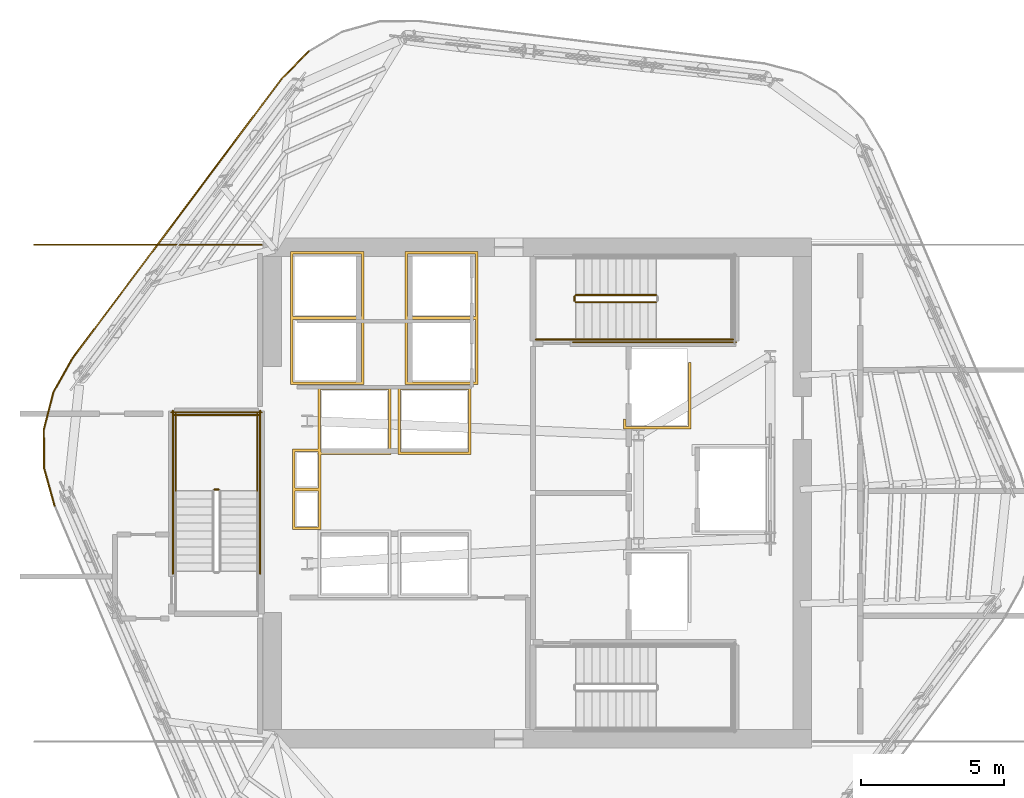
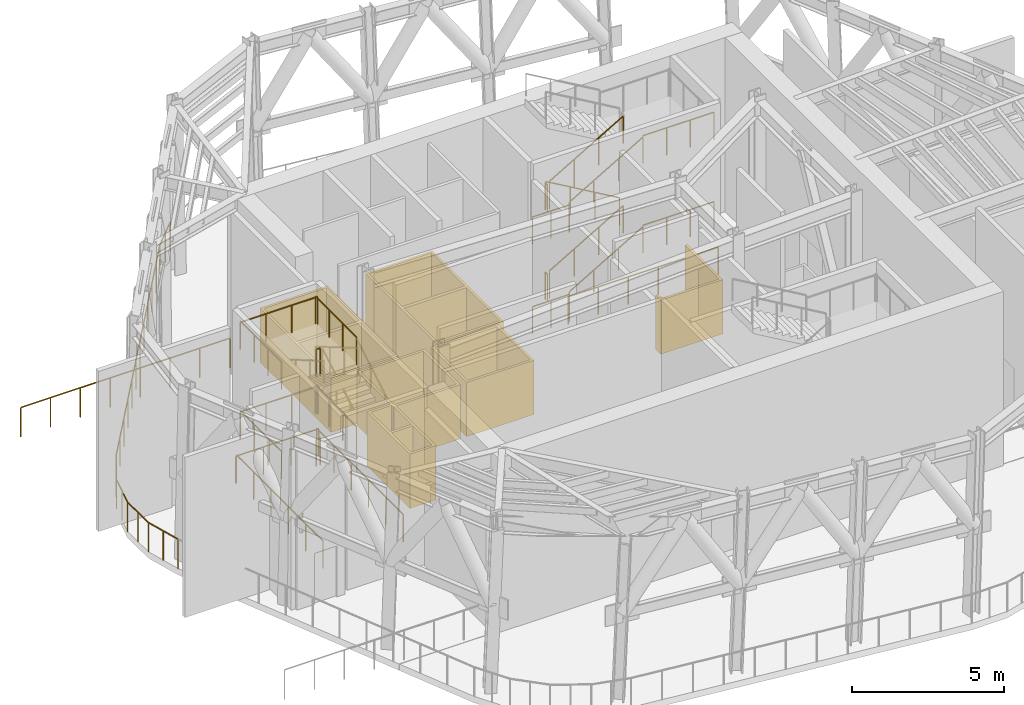
# One storey, part 9 of 10: 30 railings, 5 coverings.
"""IFC4 building model written with IfcOpenShell, lengths in metres."""

from ifc_helpers import new_model, si_unit, direction, frame, origin, origin_2d, place, context, subcontext, project, spatial, polyline, circle, outline, extrude, material, layer, layer_set, type_object, element, save


model = new_model("IFC4")

# Units and contexts
model_context = context("Model", 3, precision=1e-05, world=origin(), true_north=direction((0.0, 1.0)))
body_context = subcontext(model_context, "Body", "Model", "MODEL_VIEW")
ifc_project = project(units=[si_unit("LENGTHUNIT", "METRE"), si_unit("AREAUNIT", "SQUARE_METRE"), si_unit("VOLUMEUNIT", "CUBIC_METRE"), si_unit("PLANEANGLEUNIT", "RADIAN"), si_unit("MASSUNIT", "GRAM", prefix="KILO")], contexts=[model_context])

# Site, building, storey
site_placement = place(None, origin())
site = spatial("IfcSite", under=ifc_project, at=site_placement, CompositionType="ELEMENT")
building_placement = place(site_placement, origin())
building = spatial("IfcBuilding", under=site, at=building_placement, Name="Valkerne Bourse Tower", CompositionType="ELEMENT")
storey_placement = place(building_placement, frame((0.0, 0.0, 251.199951171875)))
storey = spatial("IfcBuildingStorey", under=building, at=storey_placement, Name="L64", CompositionType="ELEMENT", Elevation=251.199951171875)

# Coverings
ifc_material_1 = material(Name="Gypsum Shaftwall Liner Board", Category="gypsum")
ifc_layer = layer(ifc_material_1, 0.080078125)
ifc_layer_set = layer_set([ifc_layer], Name="Gypsum Shaftwall Liner Board")
covering_type = type_object("IfcCoveringType", Name="COV-SHF-CLAD", PredefinedType="CLADDING", material=ifc_layer_set)
covering_1_placement = place(storey_placement, origin())
element("IfcCovering", 1, at=covering_1_placement, inside=storey, type_object=covering_type, Name="L64 Hoistway & Riser Shaftwall Liner 03", PredefinedType="CLADDING", context=body_context, shape_type="SweptSolid", body=[
    extrude(outline(polyline([(38.239990234375, 28.409912109375), (39.1201171875, 28.409912109375), (39.1201171875, 30.580078125), (41.679931640625, 30.580078125), (41.679931640625, 28.219970703125), (39.239990234375, 28.219970703125), (39.239990234375, 27.0400390625), (39.239990234375, 26.9599609375), (39.239990234375, 25.590087890625), (38.239990234375, 25.590087890625), (38.239990234375, 26.9599609375), (38.239990234375, 27.0400390625), (38.239990234375, 28.409912109375)]), holes=[polyline([(38.330078125, 26.949951171875), (38.330078125, 25.679931640625), (39.14990234375, 25.679931640625), (39.14990234375, 26.949951171875), (38.330078125, 26.949951171875)]), polyline([(39.2099609375, 30.489990234375), (39.2099609375, 28.409912109375), (39.239990234375, 28.409912109375), (39.239990234375, 28.31005859375), (41.590087890625, 28.31005859375), (41.590087890625, 30.489990234375), (39.2099609375, 30.489990234375)]), polyline([(38.330078125, 27.050048828125), (39.14990234375, 27.050048828125), (39.14990234375, 28.219970703125), (39.1201171875, 28.219970703125), (39.1201171875, 28.320068359375), (38.330078125, 28.320068359375), (38.330078125, 27.050048828125)])]), origin(), (0.0, 0.0, 1.0), 2.179931640625),
])
covering_2_placement = place(storey_placement, origin())
element("IfcCovering", 2, at=covering_2_placement, inside=storey, type_object=covering_type, Name="L64 Hoistway & Riser Shaftwall Liner 04", PredefinedType="CLADDING", context=body_context, shape_type="SweptSolid", body=[
    extrude(outline(polyline([(38.169921875, 35.330078125), (40.72998046875, 35.330078125), (40.72998046875, 33.030029296875), (40.72998046875, 32.969970703125), (40.72998046875, 30.669921875), (38.169921875, 30.669921875), (38.169921875, 32.969970703125), (38.169921875, 33.030029296875), (38.169921875, 35.330078125)]), holes=[polyline([(38.260009765625, 32.93994140625), (38.260009765625, 30.760009765625), (40.639892578125, 30.760009765625), (40.639892578125, 32.93994140625), (38.260009765625, 32.93994140625)]), polyline([(40.639892578125, 35.239990234375), (38.260009765625, 35.239990234375), (38.260009765625, 33.06005859375), (40.639892578125, 33.06005859375), (40.639892578125, 35.239990234375)])]), origin(), (0.0, 0.0, 1.0), 2.179931640625),
])
covering_3_placement = place(storey_placement, origin())
element("IfcCovering", 3, at=covering_3_placement, inside=storey, type_object=covering_type, Name="L64 Hoistway & Riser Shaftwall Liner 07", PredefinedType="CLADDING", context=body_context, shape_type="SweptSolid", body=[
    extrude(outline(polyline([(44.47998046875, 28.219970703125), (41.919921875, 28.219970703125), (41.919921875, 30.580078125), (44.47998046875, 30.580078125), (44.47998046875, 28.219970703125)]), holes=[polyline([(42.010009765625, 30.489990234375), (42.010009765625, 28.31005859375), (44.389892578125, 28.31005859375), (44.389892578125, 30.489990234375), (42.010009765625, 30.489990234375)])]), origin(), (0.0, 0.0, 1.0), 2.179931640625),
])
covering_4_placement = place(storey_placement, origin())
element("IfcCovering", 4, at=covering_4_placement, inside=storey, type_object=covering_type, Name="L64 Hoistway & Riser Shaftwall Liner 08", PredefinedType="CLADDING", context=body_context, shape_type="SweptSolid", body=[
    extrude(outline(polyline([(49.820068359375, 29.1201171875), (49.820068359375, 29.468017578125), (49.827880859375, 29.46435546875), (49.869384765625, 29.449462890625), (49.909912109375, 29.439208984375), (49.909912109375, 29.2099609375), (52.090087890625, 29.2099609375), (52.090087890625, 31.449951171875), (52.179931640625, 31.449951171875), (52.179931640625, 29.1201171875), (49.820068359375, 29.1201171875)])), origin(), (0.0, 0.0, 1.0), 2.179931640625),
])
covering_5_placement = place(storey_placement, origin())
element("IfcCovering", 5, at=covering_5_placement, inside=storey, type_object=covering_type, Name="L64 Hoistway & Riser Shaftwall Liner 09", PredefinedType="CLADDING", context=body_context, shape_type="SweptSolid", body=[
    extrude(outline(polyline([(42.169921875, 35.330078125), (44.72998046875, 35.330078125), (44.72998046875, 33.030029296875), (44.72998046875, 32.969970703125), (44.72998046875, 30.669921875), (42.169921875, 30.669921875), (42.169921875, 32.969970703125), (42.169921875, 33.030029296875), (42.169921875, 35.330078125)]), holes=[polyline([(42.260009765625, 32.93994140625), (42.260009765625, 30.760009765625), (44.639892578125, 30.760009765625), (44.639892578125, 32.93994140625), (42.260009765625, 32.93994140625)]), polyline([(42.260009765625, 35.239990234375), (42.260009765625, 33.06005859375), (44.639892578125, 33.06005859375), (44.639892578125, 35.239990234375), (42.260009765625, 35.239990234375)])]), origin(), (0.0, 0.0, 1.0), 2.179931640625),
])

# Railings
ifc_material_2 = material(Name="Stainless Steel AISI 316", Category="steel")
railing_type_1 = type_object("IfcRailingType", Name="RLG-PORTAL-1200", PredefinedType="GUARDRAIL", material=ifc_material_2)
railing_1_placement = place(storey_placement, frame((38.797607421875, 42.331298828125, 0.0)))
element("IfcRailing", 6, at=railing_1_placement, inside=storey, type_object=railing_type_1, Name="L64 Perimeter Guard Railing GRD-L64-HEX-09", PredefinedType="GUARDRAIL", context=body_context, shape_type="SweptSolid", body=[
    extrude(circle(Radius=0.02392578125, at=origin_2d()), frame((0.0, 0.0, 1.17578125), z_axis=(-0.699695555318, -0.714441131143, 0.0), x_axis=(0.714441131143, -0.699695555318, 0.0)), (0.0, 0.0, 1.0), 1.357666015625),
    extrude(circle(Radius=0.02099609375, at=origin_2d()), origin(), (0.0, 0.0, 1.0), 1.15185546875),
    extrude(circle(Radius=0.02099609375, at=origin_2d()), frame((-0.47509765625, -0.48486328125, 0.0)), (0.0, 0.0, 1.0), 1.15185546875),
    extrude(circle(Radius=0.02099609375, at=origin_2d()), frame((-0.949951171875, -0.969970703125, 0.0)), (0.0, 0.0, 1.0), 1.15185546875),
])
railing_2_placement = place(storey_placement, frame((37.84765625, 41.361328125, 0.0)))
element("IfcRailing", 7, at=railing_2_placement, inside=storey, type_object=railing_type_1, Name="L64 Perimeter Guard Railing GRD-L64-HEX-10", PredefinedType="GUARDRAIL", context=body_context, shape_type="SweptSolid", body=[
    extrude(circle(Radius=0.02392578125, at=origin_2d()), frame((0.0, 0.0, 1.17578125), z_axis=(-0.599097222472, -0.800676287913, 0.0), x_axis=(0.800676287913, -0.599097222472, 0.0)), (0.0, 0.0, 1.0), 12.20703125),
    extrude(circle(Radius=0.02099609375, at=origin_2d()), origin(), (0.0, 0.0, 1.0), 1.15185546875),
    extrude(circle(Radius=0.02099609375, at=origin_2d()), frame((-0.664794921875, -0.888427734375, 0.0)), (0.0, 0.0, 1.0), 1.15185546875),
    extrude(circle(Radius=0.02099609375, at=origin_2d()), frame((-1.32958984375, -1.777099609375, 0.0)), (0.0, 0.0, 1.0), 1.15185546875),
    extrude(circle(Radius=0.02099609375, at=origin_2d()), frame((-1.99462890625, -2.66552734375, 0.0)), (0.0, 0.0, 1.0), 1.15185546875),
    extrude(circle(Radius=0.02099609375, at=origin_2d()), frame((-2.659423828125, -3.55419921875, 0.0)), (0.0, 0.0, 1.0), 1.15185546875),
    extrude(circle(Radius=0.02099609375, at=origin_2d()), frame((-3.32421875, -4.442626953125, 0.0)), (0.0, 0.0, 1.0), 1.15185546875),
    extrude(circle(Radius=0.02099609375, at=origin_2d()), frame((-3.989013671875, -5.331298828125, 0.0)), (0.0, 0.0, 1.0), 1.15185546875),
    extrude(circle(Radius=0.02099609375, at=origin_2d()), frame((-4.65380859375, -6.2197265625, 0.0)), (0.0, 0.0, 1.0), 1.15185546875),
    extrude(circle(Radius=0.02099609375, at=origin_2d()), frame((-5.318603515625, -7.1083984375, 0.0)), (0.0, 0.0, 1.0), 1.15185546875),
    extrude(circle(Radius=0.02099609375, at=origin_2d()), frame((-5.983642578125, -7.996826171875, 0.0)), (0.0, 0.0, 1.0), 1.15185546875),
    extrude(circle(Radius=0.02099609375, at=origin_2d()), frame((-6.6484375, -8.885498046875, 0.0)), (0.0, 0.0, 1.0), 1.15185546875),
    extrude(circle(Radius=0.02099609375, at=origin_2d()), frame((-7.313232421875, -9.77392578125, 0.0)), (0.0, 0.0, 1.0), 1.15185546875),
])
railing_3_placement = place(storey_placement, frame((30.534423828125, 31.58740234375, 0.0)))
element("IfcRailing", 8, at=railing_3_placement, inside=storey, type_object=railing_type_1, Name="L64 Perimeter Guard Railing GRD-L64-HEX-11", PredefinedType="GUARDRAIL", context=body_context, shape_type="SweptSolid", body=[
    extrude(circle(Radius=0.02392578125, at=origin_2d()), frame((0.0, 0.0, 1.17578125), z_axis=(-0.490978321116, -0.871171790288, 0.0), x_axis=(0.871171790288, -0.490978321116, 0.0)), (0.0, 0.0, 1.0), 1.357421875),
    extrude(circle(Radius=0.02099609375, at=origin_2d()), origin(), (0.0, 0.0, 1.0), 1.15185546875),
    extrude(circle(Radius=0.02099609375, at=origin_2d()), frame((-0.333251953125, -0.59130859375, 0.0)), (0.0, 0.0, 1.0), 1.15185546875),
    extrude(circle(Radius=0.02099609375, at=origin_2d()), frame((-0.66650390625, -1.1826171875, 0.0)), (0.0, 0.0, 1.0), 1.15185546875),
])
railing_4_placement = place(storey_placement, frame((29.867919921875, 30.40478515625, 0.0)))
element("IfcRailing", 9, at=railing_4_placement, inside=storey, type_object=railing_type_1, Name="L64 Perimeter Guard Railing GRD-L64-HEX-12", PredefinedType="GUARDRAIL", context=body_context, shape_type="SweptSolid", body=[
    extrude(circle(Radius=0.02392578125, at=origin_2d()), frame((0.0, 0.0, 1.17578125), z_axis=(-0.248539766079, -0.968621693272, 0.0), x_axis=(0.968621693272, -0.248539766079, 0.0)), (0.0, 0.0, 1.0), 1.357421875),
    extrude(circle(Radius=0.02099609375, at=origin_2d()), origin(), (0.0, 0.0, 1.0), 1.15185546875),
    extrude(circle(Radius=0.02099609375, at=origin_2d()), frame((-0.168701171875, -0.657470703125, 0.0)), (0.0, 0.0, 1.0), 1.15185546875),
    extrude(circle(Radius=0.02099609375, at=origin_2d()), frame((-0.33740234375, -1.31494140625, 0.0)), (0.0, 0.0, 1.0), 1.15185546875),
])
railing_5_placement = place(storey_placement, frame((29.530517578125, 29.08984375, 0.0)))
element("IfcRailing", 10, at=railing_5_placement, inside=storey, type_object=railing_type_1, Name="L64 Perimeter Guard Railing GRD-L64-HEX-13", PredefinedType="GUARDRAIL", context=body_context, shape_type="SweptSolid", body=[
    extrude(circle(Radius=0.02392578125, at=origin_2d()), frame((0.0, 0.0, 1.17578125), z_axis=(0.010431087139, -0.999945594731, 0.0), x_axis=(0.999945594731, 0.010431087139, 0.0)), (0.0, 0.0, 1.0), 1.357421875),
    extrude(circle(Radius=0.02099609375, at=origin_2d()), origin(), (0.0, 0.0, 1.0), 1.15185546875),
    extrude(circle(Radius=0.02099609375, at=origin_2d()), frame((0.007080078125, -0.6787109375, 0.0)), (0.0, 0.0, 1.0), 1.15185546875),
    extrude(circle(Radius=0.02099609375, at=origin_2d()), frame((0.01416015625, -1.357421875, 0.0)), (0.0, 0.0, 1.0), 1.15185546875),
])
railing_6_placement = place(storey_placement, frame((29.544677734375, 27.732421875, 0.0)))
element("IfcRailing", 11, at=railing_6_placement, inside=storey, type_object=railing_type_1, Name="L64 Perimeter Guard Railing GRD-L64-HEX-14", PredefinedType="GUARDRAIL", context=body_context, shape_type="SweptSolid", body=[
    extrude(circle(Radius=0.02392578125, at=origin_2d()), frame((0.0, 0.0, 1.17578125), z_axis=(0.268895982656, -0.963169222157, 0.0), x_axis=(0.963169222157, 0.268895982656, 0.0)), (0.0, 0.0, 1.0), 1.357421875),
    extrude(circle(Radius=0.02099609375, at=origin_2d()), origin(), (0.0, 0.0, 1.0), 1.15185546875),
    extrude(circle(Radius=0.02099609375, at=origin_2d()), frame((0.1826171875, -0.65380859375, 0.0)), (0.0, 0.0, 1.0), 1.15185546875),
    extrude(circle(Radius=0.02099609375, at=origin_2d()), frame((0.364990234375, -1.307373046875, 0.0)), (0.0, 0.0, 1.0), 1.15185546875),
])
railing_7_placement = place(storey_placement, frame((29.199951171875, 35.56005859375, 0.0)))
element("IfcRailing", 12, at=railing_7_placement, inside=storey, type_object=railing_type_1, Name="L64 Wind Portal Bridge Guard NW", PredefinedType="GUARDRAIL", context=body_context, shape_type="SweptSolid", body=[
    extrude(circle(Radius=0.02392578125, at=origin_2d()), frame((0.0, 0.0, 1.17578125), z_axis=(1.0, 0.0, 0.0), x_axis=(0.0, 1.0, 0.0)), (0.0, 0.0, 1.0), 7.949951171875),
    extrude(circle(Radius=0.02099609375, at=origin_2d()), origin(), (0.0, 0.0, 1.0), 1.15185546875),
    extrude(circle(Radius=0.02099609375, at=origin_2d()), frame((1.1357421875, 0.0, 0.0)), (0.0, 0.0, 1.0), 1.15185546875),
    extrude(circle(Radius=0.02099609375, at=origin_2d()), frame((2.271484375, 0.0, 0.0)), (0.0, 0.0, 1.0), 1.15185546875),
    extrude(circle(Radius=0.02099609375, at=origin_2d()), frame((3.4072265625, 0.0, 0.0)), (0.0, 0.0, 1.0), 1.15185546875),
    extrude(circle(Radius=0.02099609375, at=origin_2d()), frame((4.542724609375, 0.0, 0.0)), (0.0, 0.0, 1.0), 1.15185546875),
    extrude(circle(Radius=0.02099609375, at=origin_2d()), frame((5.678466796875, 0.0, 0.0)), (0.0, 0.0, 1.0), 1.15185546875),
    extrude(circle(Radius=0.02099609375, at=origin_2d()), frame((6.814208984375, 0.0, 0.0)), (0.0, 0.0, 1.0), 1.15185546875),
    extrude(circle(Radius=0.02099609375, at=origin_2d()), frame((7.949951171875, 0.0, 0.0)), (0.0, 0.0, 1.0), 1.15185546875),
])
ifc_material_3 = material(Name="Galvanised Painted Steel", Category="steel")
railing_type_2 = type_object("IfcRailingType", Name="RLG-ST-GUARD-1120", PredefinedType="GUARDRAIL", material=ifc_material_3)
railing_8_placement = place(storey_placement, frame((48.14990234375, 33.550048828125, 0.16357421875)))
element("IfcRailing", 13, at=railing_8_placement, inside=storey, type_object=railing_type_2, Name="L64 ST-2 stair guard 1", PredefinedType="GUARDRAIL", context=body_context, shape_type="SweptSolid", body=[
    extrude(circle(Radius=0.02392578125, at=origin_2d()), frame((0.0, 0.0, 1.09619140625), z_axis=(0.863360870873, 0.0, 0.504586966384), x_axis=(0.0, 1.0, 0.0)), (0.0, 0.0, 1.0), 3.2431640625),
    extrude(circle(Radius=0.02099609375, at=origin_2d()), origin(), (0.0, 0.0, 1.0), 1.072021484375),
    extrude(circle(Radius=0.02099609375, at=origin_2d()), frame((0.933349609375, 0.0, 0.54541015625)), (0.0, 0.0, 1.0), 1.072021484375),
    extrude(circle(Radius=0.02099609375, at=origin_2d()), frame((1.86669921875, 0.0, 1.091064453125)), (0.0, 0.0, 1.0), 1.072021484375),
    extrude(circle(Radius=0.02099609375, at=origin_2d()), frame((2.800048828125, 0.0, 1.636474609375)), (0.0, 0.0, 1.0), 1.072021484375),
])
railing_9_placement = place(storey_placement, frame((50.949951171875, 32.25, 1.800048828125)))
element("IfcRailing", 14, at=railing_9_placement, inside=storey, type_object=railing_type_2, Name="L64 ST-2 stair guard 3", PredefinedType="GUARDRAIL", context=body_context, shape_type="SweptSolid", body=[
    extrude(circle(Radius=0.02392578125, at=origin_2d()), frame((0.0, 0.0, 1.09619140625), z_axis=(1.0, 0.0, 0.0), x_axis=(0.0, 1.0, 0.0)), (0.0, 0.0, 1.0), 2.699951171875),
    extrude(circle(Radius=0.02099609375, at=origin_2d()), origin(), (0.0, 0.0, 1.0), 1.072021484375),
    extrude(circle(Radius=0.02099609375, at=origin_2d()), frame((0.89990234375, 0.0, 0.0)), (0.0, 0.0, 1.0), 1.072021484375),
    extrude(circle(Radius=0.02099609375, at=origin_2d()), frame((1.800048828125, 0.0, 0.0)), (0.0, 0.0, 1.0), 1.072021484375),
    extrude(circle(Radius=0.02099609375, at=origin_2d()), frame((2.699951171875, 0.0, 0.0)), (0.0, 0.0, 1.0), 1.072021484375),
])
railing_10_placement = place(storey_placement, frame((50.949951171875, 33.800048828125, 1.963623046875)))
element("IfcRailing", 15, at=railing_10_placement, inside=storey, type_object=railing_type_2, Name="L64 ST-2 stair guard 6", PredefinedType="GUARDRAIL", context=body_context, shape_type="SweptSolid", body=[
    extrude(circle(Radius=0.02392578125, at=origin_2d()), frame((0.0, 0.0, 1.09619140625), z_axis=(-0.863360870873, 0.0, 0.504586966384), x_axis=(0.0, -1.0, 0.0)), (0.0, 0.0, 1.0), 3.2431640625),
    extrude(circle(Radius=0.02099609375, at=origin_2d()), origin(), (0.0, 0.0, 1.0), 1.072021484375),
    extrude(circle(Radius=0.02099609375, at=origin_2d()), frame((-0.933349609375, 0.0, 0.54541015625)), (0.0, 0.0, 1.0), 1.072021484375),
    extrude(circle(Radius=0.02099609375, at=origin_2d()), frame((-1.86669921875, 0.0, 1.091064453125)), (0.0, 0.0, 1.0), 1.072021484375),
    extrude(circle(Radius=0.02099609375, at=origin_2d()), frame((-2.800048828125, 0.0, 1.636474609375)), (0.0, 0.0, 1.0), 1.072021484375),
])
railing_11_placement = place(storey_placement, frame((48.10009765625, 33.60009765625, 3.60009765625)))
element("IfcRailing", 16, at=railing_11_placement, inside=storey, type_object=railing_type_2, Name="L64 ST-2 stair guard 7", PredefinedType="GUARDRAIL", context=body_context, shape_type="SweptSolid", body=[
    extrude(circle(Radius=0.02392578125, at=origin_2d()), frame((0.0, 0.0, 1.09619140625), z_axis=(0.0, 1.0, 0.0), x_axis=(-1.0, 0.0, 0.0)), (0.0, 0.0, 1.0), 0.14990234375),
    extrude(circle(Radius=0.02099609375, at=origin_2d()), origin(), (0.0, 0.0, 1.0), 1.072021484375),
    extrude(circle(Radius=0.02099609375, at=origin_2d()), frame((0.0, 0.14990234375, 0.0)), (0.0, 0.0, 1.0), 1.072021484375),
])
railing_12_placement = place(storey_placement, frame((46.75, 32.25, 3.60009765625)))
element("IfcRailing", 17, at=railing_12_placement, inside=storey, type_object=railing_type_2, Name="L64 ST-2 stair guard 8", PredefinedType="GUARDRAIL", context=body_context, shape_type="SweptSolid", body=[
    extrude(circle(Radius=0.02392578125, at=origin_2d()), frame((0.0, 0.0, 1.09619140625), z_axis=(1.0, 0.0, 0.0), x_axis=(0.0, 1.0, 0.0)), (0.0, 0.0, 1.0), 1.39990234375),
    extrude(circle(Radius=0.02099609375, at=origin_2d()), origin(), (0.0, 0.0, 1.0), 1.072021484375),
    extrude(circle(Radius=0.02099609375, at=origin_2d()), frame((0.699951171875, 0.0, 0.0)), (0.0, 0.0, 1.0), 1.072021484375),
    extrude(circle(Radius=0.02099609375, at=origin_2d()), frame((1.39990234375, 0.0, 0.0)), (0.0, 0.0, 1.0), 1.072021484375),
])
railing_13_placement = place(storey_placement, frame((48.14990234375, 33.550048828125, 3.763671875)))
element("IfcRailing", 18, at=railing_13_placement, inside=storey, type_object=railing_type_2, Name="L64 ST-2 stair guard 10", PredefinedType="GUARDRAIL", context=body_context, shape_type="SweptSolid", body=[
    extrude(circle(Radius=0.02392578125, at=origin_2d()), frame((0.0, 0.0, 1.09619140625), z_axis=(0.863360870873, 0.0, 0.504586966384), x_axis=(0.0, 1.0, 0.0)), (0.0, 0.0, 1.0), 3.2431640625),
    extrude(circle(Radius=0.02099609375, at=origin_2d()), origin(), (0.0, 0.0, 1.0), 1.072021484375),
    extrude(circle(Radius=0.02099609375, at=origin_2d()), frame((0.933349609375, 0.0, 0.54541015625)), (0.0, 0.0, 1.0), 1.072021484375),
    extrude(circle(Radius=0.02099609375, at=origin_2d()), frame((1.86669921875, 0.0, 1.091064453125)), (0.0, 0.0, 1.0), 1.072021484375),
    extrude(circle(Radius=0.02099609375, at=origin_2d()), frame((2.800048828125, 0.0, 1.636474609375)), (0.0, 0.0, 1.0), 1.072021484375),
])
railing_14_placement = place(storey_placement, frame((50.949951171875, 32.25, 5.400146484375)))
element("IfcRailing", 19, at=railing_14_placement, inside=storey, type_object=railing_type_2, Name="L64 ST-2 stair guard 12", PredefinedType="GUARDRAIL", context=body_context, shape_type="SweptSolid", body=[
    extrude(circle(Radius=0.02392578125, at=origin_2d()), frame((0.0, 0.0, 1.09619140625), z_axis=(1.0, 0.0, 0.0), x_axis=(0.0, 1.0, 0.0)), (0.0, 0.0, 1.0), 2.699951171875),
    extrude(circle(Radius=0.02099609375, at=origin_2d()), origin(), (0.0, 0.0, 1.0), 1.072021484375),
    extrude(circle(Radius=0.02099609375, at=origin_2d()), frame((0.89990234375, 0.0, 0.0)), (0.0, 0.0, 1.0), 1.072021484375),
    extrude(circle(Radius=0.02099609375, at=origin_2d()), frame((1.800048828125, 0.0, 0.0)), (0.0, 0.0, 1.0), 1.072021484375),
    extrude(circle(Radius=0.02099609375, at=origin_2d()), frame((2.699951171875, 0.0, 0.0)), (0.0, 0.0, 1.0), 1.072021484375),
])
railing_15_placement = place(storey_placement, frame((48.10009765625, 33.60009765625, 0.0)))
element("IfcRailing", 20, at=railing_15_placement, inside=storey, type_object=railing_type_2, Name="L64 ST-2 stair guard 16", PredefinedType="GUARDRAIL", context=body_context, shape_type="SweptSolid", body=[
    extrude(circle(Radius=0.02392578125, at=origin_2d()), frame((0.0, 0.0, 1.09619140625), z_axis=(0.0, 1.0, 0.0), x_axis=(-1.0, 0.0, 0.0)), (0.0, 0.0, 1.0), 0.14990234375),
    extrude(circle(Radius=0.02099609375, at=origin_2d()), origin(), (0.0, 0.0, 1.0), 1.072021484375),
    extrude(circle(Radius=0.02099609375, at=origin_2d()), frame((0.0, 0.14990234375, 0.0)), (0.0, 0.0, 1.0), 1.072021484375),
])
railing_16_placement = place(storey_placement, frame((46.75, 32.25, 0.0)))
element("IfcRailing", 21, at=railing_16_placement, inside=storey, type_object=railing_type_2, Name="L64 ST-2 stair guard 17", PredefinedType="GUARDRAIL", context=body_context, shape_type="SweptSolid", body=[
    extrude(circle(Radius=0.02392578125, at=origin_2d()), frame((0.0, 0.0, 1.09619140625), z_axis=(1.0, 0.0, 0.0), x_axis=(0.0, 1.0, 0.0)), (0.0, 0.0, 1.0), 1.39990234375),
    extrude(circle(Radius=0.02099609375, at=origin_2d()), origin(), (0.0, 0.0, 1.0), 1.072021484375),
    extrude(circle(Radius=0.02099609375, at=origin_2d()), frame((0.699951171875, 0.0, 0.0)), (0.0, 0.0, 1.0), 1.072021484375),
    extrude(circle(Radius=0.02099609375, at=origin_2d()), frame((1.39990234375, 0.0, 0.0)), (0.0, 0.0, 1.0), 1.072021484375),
])
railing_17_placement = place(storey_placement, frame((48.050048828125, 32.14990234375, 0.0)))
element("IfcRailing", 22, at=railing_17_placement, inside=storey, type_object=railing_type_2, Name="L64 ST-2 stair guard 19", PredefinedType="GUARDRAIL", context=body_context, shape_type="SweptSolid", body=[
    extrude(circle(Radius=0.02392578125, at=origin_2d()), frame((0.0, 0.0, 1.09619140625), z_axis=(1.0, 0.0, 0.0), x_axis=(0.0, 1.0, 0.0)), (0.0, 0.0, 1.0), 5.699951171875),
    extrude(circle(Radius=0.02099609375, at=origin_2d()), origin(), (0.0, 0.0, 1.0), 1.072021484375),
    extrude(circle(Radius=0.02099609375, at=origin_2d()), frame((1.139892578125, 0.0, 0.0)), (0.0, 0.0, 1.0), 1.072021484375),
    extrude(circle(Radius=0.02099609375, at=origin_2d()), frame((2.280029296875, 0.0, 0.0)), (0.0, 0.0, 1.0), 1.072021484375),
    extrude(circle(Radius=0.02099609375, at=origin_2d()), frame((3.419921875, 0.0, 0.0)), (0.0, 0.0, 1.0), 1.072021484375),
    extrude(circle(Radius=0.02099609375, at=origin_2d()), frame((4.56005859375, 0.0, 0.0)), (0.0, 0.0, 1.0), 1.072021484375),
    extrude(circle(Radius=0.02099609375, at=origin_2d()), frame((5.699951171875, 0.0, 0.0)), (0.0, 0.0, 1.0), 1.072021484375),
])
railing_18_placement = place(storey_placement, frame((35.64990234375, 27.0, 1.800048828125)))
element("IfcRailing", 23, at=railing_18_placement, inside=storey, type_object=railing_type_2, Name="L64 ST-3 stair guard 2", PredefinedType="GUARDRAIL", context=body_context, shape_type="SweptSolid", body=[
    extrude(circle(Radius=0.02392578125, at=origin_2d()), frame((0.0, 0.0, 1.09619140625), z_axis=(-1.0, 0.0, 0.0), x_axis=(0.0, -1.0, 0.0)), (0.0, 0.0, 1.0), 0.14990234375),
    extrude(circle(Radius=0.02099609375, at=origin_2d()), origin(), (0.0, 0.0, 1.0), 1.072021484375),
    extrude(circle(Radius=0.02099609375, at=origin_2d()), frame((-0.14990234375, 0.0, 0.0)), (0.0, 0.0, 1.0), 1.072021484375),
])
for number, where, name in (
    (24, (37.0, 26.949951171875, 1.800048828125), "L64 ST-3 stair guard 3"),
    (25, (34.14990234375, 26.949951171875, 1.800048828125), "L64 ST-3 stair guard 4"),
):
    element("IfcRailing", number, at=place(storey_placement, frame(where)), inside=storey, type_object=railing_type_2, Name=name, PredefinedType="GUARDRAIL", context=body_context, shape_type="SweptSolid", body=[
        extrude(circle(Radius=0.02392578125, at=origin_2d()), frame((0.0, 0.0, 1.09619140625), z_axis=(0.0, 1.0, 0.0), x_axis=(-1.0, 0.0, 0.0)), (0.0, 0.0, 1.0), 2.699951171875),
        extrude(circle(Radius=0.02099609375, at=origin_2d()), origin(), (0.0, 0.0, 1.0), 1.072021484375),
        extrude(circle(Radius=0.02099609375, at=origin_2d()), frame((0.0, 0.89990234375, 0.0)), (0.0, 0.0, 1.0), 1.072021484375),
        extrude(circle(Radius=0.02099609375, at=origin_2d()), frame((0.0, 1.800048828125, 0.0)), (0.0, 0.0, 1.0), 1.072021484375),
        extrude(circle(Radius=0.02099609375, at=origin_2d()), frame((0.0, 2.699951171875, 0.0)), (0.0, 0.0, 1.0), 1.072021484375),
    ])
railing_19_placement = place(storey_placement, frame((37.050048828125, 29.60009765625, 1.800048828125)))
element("IfcRailing", 26, at=railing_19_placement, inside=storey, type_object=railing_type_2, Name="L64 ST-3 stair guard 5", PredefinedType="GUARDRAIL", context=body_context, shape_type="SweptSolid", body=[
    extrude(circle(Radius=0.02392578125, at=origin_2d()), frame((0.0, 0.0, 1.09619140625), z_axis=(-1.0, 0.0, 0.0), x_axis=(0.0, -1.0, 0.0)), (0.0, 0.0, 1.0), 2.949951171875),
    extrude(circle(Radius=0.02099609375, at=origin_2d()), origin(), (0.0, 0.0, 1.0), 1.072021484375),
    extrude(circle(Radius=0.02099609375, at=origin_2d()), frame((-0.9833984375, 0.0, 0.0)), (0.0, 0.0, 1.0), 1.072021484375),
    extrude(circle(Radius=0.02099609375, at=origin_2d()), frame((-1.966552734375, 0.0, 0.0)), (0.0, 0.0, 1.0), 1.072021484375),
    extrude(circle(Radius=0.02099609375, at=origin_2d()), frame((-2.949951171875, 0.0, 0.0)), (0.0, 0.0, 1.0), 1.072021484375),
])
railing_20_placement = place(storey_placement, frame((35.64990234375, 27.0, 5.400146484375)))
element("IfcRailing", 27, at=railing_20_placement, inside=storey, type_object=railing_type_2, Name="L64 ST-3 stair guard 11", PredefinedType="GUARDRAIL", context=body_context, shape_type="SweptSolid", body=[
    extrude(circle(Radius=0.02392578125, at=origin_2d()), frame((0.0, 0.0, 1.09619140625), z_axis=(-1.0, 0.0, 0.0), x_axis=(0.0, -1.0, 0.0)), (0.0, 0.0, 1.0), 0.14990234375),
    extrude(circle(Radius=0.02099609375, at=origin_2d()), origin(), (0.0, 0.0, 1.0), 1.072021484375),
    extrude(circle(Radius=0.02099609375, at=origin_2d()), frame((-0.14990234375, 0.0, 0.0)), (0.0, 0.0, 1.0), 1.072021484375),
])
for number, where, name in (
    (28, (37.0, 26.949951171875, 5.400146484375), "L64 ST-3 stair guard 12"),
    (29, (34.14990234375, 26.949951171875, 5.400146484375), "L64 ST-3 stair guard 13"),
):
    element("IfcRailing", number, at=place(storey_placement, frame(where)), inside=storey, type_object=railing_type_2, Name=name, PredefinedType="GUARDRAIL", context=body_context, shape_type="SweptSolid", body=[
        extrude(circle(Radius=0.02392578125, at=origin_2d()), frame((0.0, 0.0, 1.09619140625), z_axis=(0.0, 1.0, 0.0), x_axis=(-1.0, 0.0, 0.0)), (0.0, 0.0, 1.0), 2.699951171875),
        extrude(circle(Radius=0.02099609375, at=origin_2d()), origin(), (0.0, 0.0, 1.0), 1.072021484375),
        extrude(circle(Radius=0.02099609375, at=origin_2d()), frame((0.0, 0.89990234375, 0.0)), (0.0, 0.0, 1.0), 1.072021484375),
        extrude(circle(Radius=0.02099609375, at=origin_2d()), frame((0.0, 1.800048828125, 0.0)), (0.0, 0.0, 1.0), 1.072021484375),
        extrude(circle(Radius=0.02099609375, at=origin_2d()), frame((0.0, 2.699951171875, 0.0)), (0.0, 0.0, 1.0), 1.072021484375),
    ])
railing_21_placement = place(storey_placement, frame((37.050048828125, 29.60009765625, 5.400146484375)))
element("IfcRailing", 30, at=railing_21_placement, inside=storey, type_object=railing_type_2, Name="L64 ST-3 stair guard 14", PredefinedType="GUARDRAIL", context=body_context, shape_type="SweptSolid", body=[
    extrude(circle(Radius=0.02392578125, at=origin_2d()), frame((0.0, 0.0, 1.09619140625), z_axis=(-1.0, 0.0, 0.0), x_axis=(0.0, -1.0, 0.0)), (0.0, 0.0, 1.0), 2.949951171875),
    extrude(circle(Radius=0.02099609375, at=origin_2d()), origin(), (0.0, 0.0, 1.0), 1.072021484375),
    extrude(circle(Radius=0.02099609375, at=origin_2d()), frame((-0.9833984375, 0.0, 0.0)), (0.0, 0.0, 1.0), 1.072021484375),
    extrude(circle(Radius=0.02099609375, at=origin_2d()), frame((-1.966552734375, 0.0, 0.0)), (0.0, 0.0, 1.0), 1.072021484375),
    extrude(circle(Radius=0.02099609375, at=origin_2d()), frame((-2.949951171875, 0.0, 0.0)), (0.0, 0.0, 1.0), 1.072021484375),
])
for number, where, name in (
    (31, (37.10009765625, 24.050048828125, 0.0), "L64 ST-3 stair guard 19"),
    (32, (34.050048828125, 24.050048828125, 0.0), "L64 ST-3 stair guard 20"),
):
    element("IfcRailing", number, at=place(storey_placement, frame(where)), inside=storey, type_object=railing_type_2, Name=name, PredefinedType="GUARDRAIL", context=body_context, shape_type="SweptSolid", body=[
        extrude(circle(Radius=0.02392578125, at=origin_2d()), frame((0.0, 0.0, 1.09619140625), z_axis=(0.0, 1.0, 0.0), x_axis=(-1.0, 0.0, 0.0)), (0.0, 0.0, 1.0), 5.699951171875),
        extrude(circle(Radius=0.02099609375, at=origin_2d()), origin(), (0.0, 0.0, 1.0), 1.072021484375),
        extrude(circle(Radius=0.02099609375, at=origin_2d()), frame((0.0, 1.139892578125, 0.0)), (0.0, 0.0, 1.0), 1.072021484375),
        extrude(circle(Radius=0.02099609375, at=origin_2d()), frame((0.0, 2.280029296875, 0.0)), (0.0, 0.0, 1.0), 1.072021484375),
        extrude(circle(Radius=0.02099609375, at=origin_2d()), frame((0.0, 3.419921875, 0.0)), (0.0, 0.0, 1.0), 1.072021484375),
        extrude(circle(Radius=0.02099609375, at=origin_2d()), frame((0.0, 4.56005859375, 0.0)), (0.0, 0.0, 1.0), 1.072021484375),
        extrude(circle(Radius=0.02099609375, at=origin_2d()), frame((0.0, 5.699951171875, 0.0)), (0.0, 0.0, 1.0), 1.072021484375),
    ])
railing_22_placement = place(storey_placement, frame((37.14990234375, 29.699951171875, 0.0)))
element("IfcRailing", 33, at=railing_22_placement, inside=storey, type_object=railing_type_2, Name="L64 ST-3 stair guard 21", PredefinedType="GUARDRAIL", context=body_context, shape_type="SweptSolid", body=[
    extrude(circle(Radius=0.02392578125, at=origin_2d()), frame((0.0, 0.0, 1.09619140625), z_axis=(-1.0, 0.0, 0.0), x_axis=(0.0, -1.0, 0.0)), (0.0, 0.0, 1.0), 3.14990234375),
    extrude(circle(Radius=0.02099609375, at=origin_2d()), origin(), (0.0, 0.0, 1.0), 1.072021484375),
    extrude(circle(Radius=0.02099609375, at=origin_2d()), frame((-1.050048828125, 0.0, 0.0)), (0.0, 0.0, 1.0), 1.072021484375),
    extrude(circle(Radius=0.02099609375, at=origin_2d()), frame((-2.099853515625, 0.0, 0.0)), (0.0, 0.0, 1.0), 1.072021484375),
    extrude(circle(Radius=0.02099609375, at=origin_2d()), frame((-3.14990234375, 0.0, 0.0)), (0.0, 0.0, 1.0), 1.072021484375),
])
railing_type_3 = type_object("IfcRailingType", Name="RLG-ST-HANDRAIL-900", PredefinedType="HANDRAIL", material=ifc_material_2)
railing_23_placement = place(storey_placement, frame((48.14990234375, 32.25, 0.327392578125)))
element("IfcRailing", 34, at=railing_23_placement, inside=storey, type_object=railing_type_3, Name="L64 ST-2 stair handrail 1", PredefinedType="HANDRAIL", context=body_context, shape_type="SweptSolid", body=[
    extrude(circle(Radius=0.02392578125, at=origin_2d()), frame((0.0, 0.0, 0.8759765625), z_axis=(0.863393664356, 0.0, 0.504530851732), x_axis=(0.0, 1.0, 0.0)), (0.0, 0.0, 1.0), 3.2431640625),
    extrude(circle(Radius=0.02099609375, at=origin_2d()), origin(), (0.0, 0.0, 1.0), 0.851806640625),
    extrude(circle(Radius=0.02099609375, at=origin_2d()), frame((0.933349609375, 0.0, 0.54541015625)), (0.0, 0.0, 1.0), 0.851806640625),
    extrude(circle(Radius=0.02099609375, at=origin_2d()), frame((1.86669921875, 0.0, 1.0908203125)), (0.0, 0.0, 1.0), 0.851806640625),
    extrude(circle(Radius=0.02099609375, at=origin_2d()), frame((2.800048828125, 0.0, 1.63623046875)), (0.0, 0.0, 1.0), 0.851806640625),
])
railing_24_placement = place(storey_placement, frame((48.14990234375, 32.25, 3.92724609375)))
element("IfcRailing", 35, at=railing_24_placement, inside=storey, type_object=railing_type_3, Name="L64 ST-2 stair handrail 3", PredefinedType="HANDRAIL", context=body_context, shape_type="SweptSolid", body=[
    extrude(circle(Radius=0.02392578125, at=origin_2d()), frame((0.0, 0.0, 0.8759765625), z_axis=(0.863360870873, 0.0, 0.504586966384), x_axis=(0.0, 1.0, 0.0)), (0.0, 0.0, 1.0), 3.2431640625),
    extrude(circle(Radius=0.02099609375, at=origin_2d()), origin(), (0.0, 0.0, 1.0), 0.851806640625),
    extrude(circle(Radius=0.02099609375, at=origin_2d()), frame((0.933349609375, 0.0, 0.54541015625)), (0.0, 0.0, 1.0), 0.851806640625),
    extrude(circle(Radius=0.02099609375, at=origin_2d()), frame((1.86669921875, 0.0, 1.091064453125)), (0.0, 0.0, 1.0), 0.851806640625),
    extrude(circle(Radius=0.02099609375, at=origin_2d()), frame((2.800048828125, 0.0, 1.636474609375)), (0.0, 0.0, 1.0), 0.851806640625),
])

save(model, "model.ifc")
